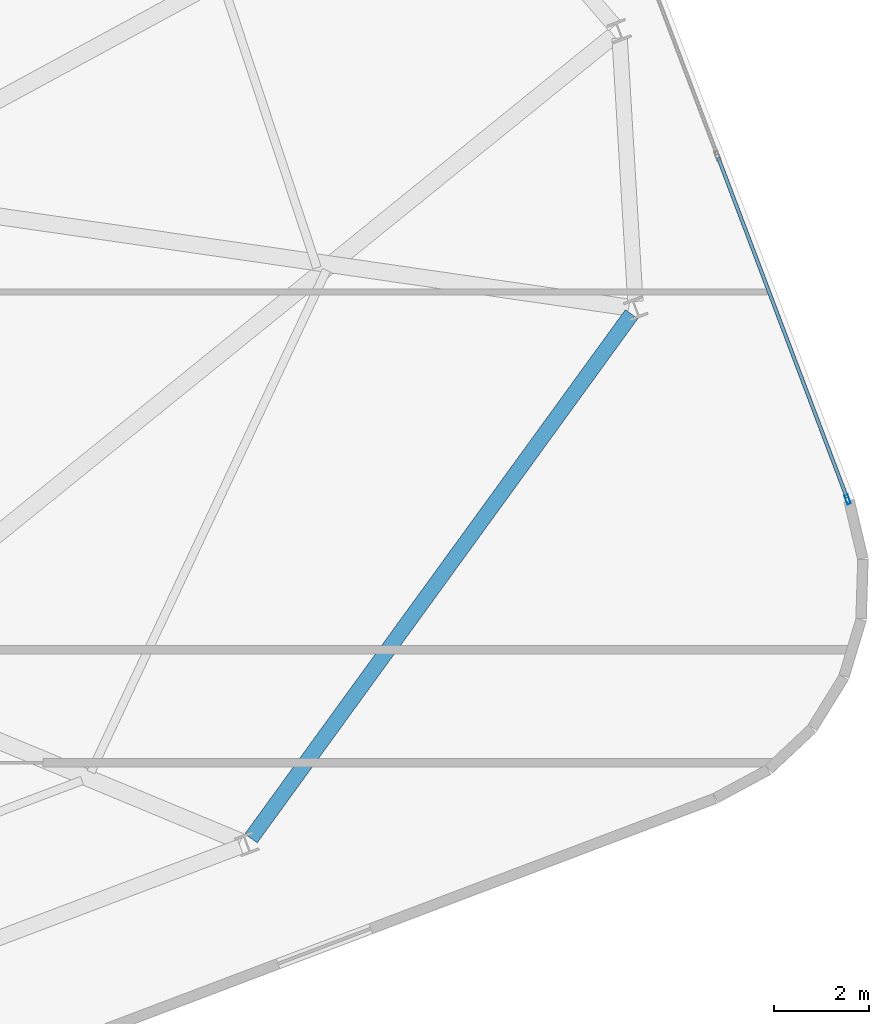
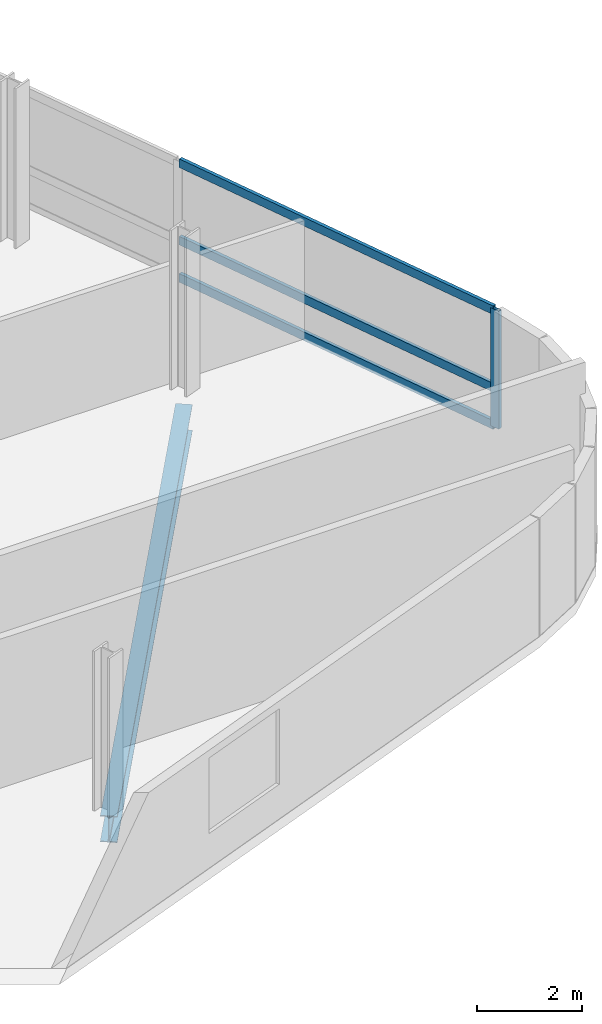
# One storey, part 11 of 20: 4 members, 1 beam, 1 element without a shape of its own.
"""IFC4 building model written with IfcOpenShell, lengths in metres."""

import ifcopenshell
import ifcopenshell.guid

model = None  # the IFC model being written
_history = None  # IfcOwnerHistory: only IFC2X3 demands one
_inside = {}  # id of a spatial element -> (the spatial element, [elements in it])
_under = {}  # id of a project, library or spatial element -> (it, [spatial elements below it])
_declared = {}  # id of a project -> (the project, [libraries it declares])
_typed = {}  # id of a type object -> (the type object, [elements of that type])
_made_of = {}  # id of a material, layer set ... -> (it, [elements and type objects made of it])


def new_model(schema):
    """Start an empty IFC model of exactly this schema.

    Asked for "IFC4X3", IfcOpenShell would pick the latest addendum, in which some entities
    have other attributes; the version numbers below select the first issue.
    IFC2X3 requires an IfcOwnerHistory on every rooted entity: one is made here for all.
    """
    global model, _history
    if schema == "IFC4X3":
        model = ifcopenshell.file(schema_version=(4, 3, 0, 0))
    else:
        model = ifcopenshell.file(schema=schema)
    _inside.clear()
    _under.clear()
    _declared.clear()
    _typed.clear()
    _made_of.clear()
    _history = None
    if model.schema == "IFC2X3":
        org = make("IfcOrganization", Name="unknown")
        user = make(
            "IfcPersonAndOrganization",
            ThePerson=make("IfcPerson", FamilyName="unknown"),
            TheOrganization=org,
        )
        app = make(
            "IfcApplication",
            ApplicationDeveloper=org,
            Version="unknown",
            ApplicationFullName="unknown",
            ApplicationIdentifier="unknown",
        )
        _history = make(
            "IfcOwnerHistory",
            OwningUser=user,
            OwningApplication=app,
            ChangeAction="ADDED",
            CreationDate=0,
        )
    return model


def make(cls, **values):
    """One entity of the class cls with the attributes given. An attribute that is None is left unset."""
    return model.create_entity(
        cls, **{name: value for name, value in values.items() if value is not None}
    )


def rooted(cls, **values):
    """An entity with a GlobalId (a new one), such as an element, a storey or a relation."""
    return make(cls, GlobalId=ifcopenshell.guid.new(), OwnerHistory=_history, **values)


def si_unit(unit_type, name, prefix=None):
    """IfcSIUnit, for example si_unit("LENGTHUNIT", "METRE", prefix="MILLI")."""
    return make("IfcSIUnit", UnitType=unit_type, Prefix=prefix, Name=name)


def assignment(units):
    """IfcUnitAssignment: the units of a project."""
    return None if units is None else make("IfcUnitAssignment", Units=units)


def point(xyz):
    """IfcCartesianPoint."""
    return None if xyz is None else make("IfcCartesianPoint", Coordinates=xyz)


def direction(xyz):
    """IfcDirection."""
    return None if xyz is None else make("IfcDirection", DirectionRatios=xyz)


def frame(location, z_axis=None, x_axis=None):
    """IfcAxis2Placement3D, a coordinate frame: its origin and axes. An axis left out is left unset."""
    return make(
        "IfcAxis2Placement3D",
        Location=point(location),
        Axis=direction(z_axis),
        RefDirection=direction(x_axis),
    )


def frame_2d(location, x_axis=None):
    """IfcAxis2Placement2D, a coordinate frame in the plane: its origin and x axis."""
    return make(
        "IfcAxis2Placement2D", Location=point(location), RefDirection=direction(x_axis)
    )


def origin():
    """The frame at (0, 0, 0) with its axes left unset."""
    return frame((0.0, 0.0, 0.0))


def origin_2d():
    """The frame at (0, 0) in the plane with its x axis left unset."""
    return frame_2d((0.0, 0.0))


def place(relative_to, where):
    """IfcLocalPlacement: puts the frame where relative to a parent placement (None: the world)."""
    return make(
        "IfcLocalPlacement", PlacementRelTo=relative_to, RelativePlacement=where
    )


def context(
    kind, dimensions, precision=None, world=None, true_north=None, identifier=None
):
    """IfcGeometricRepresentationContext, for example the 3D "Model" context."""
    return make(
        "IfcGeometricRepresentationContext",
        ContextIdentifier=identifier,
        ContextType=kind,
        CoordinateSpaceDimension=dimensions,
        Precision=precision,
        WorldCoordinateSystem=world,
        TrueNorth=true_north,
    )


def subcontext(parent, identifier, kind, view, scale=None):
    """IfcGeometricRepresentationSubContext, for example "Body" below "Model"."""
    return make(
        "IfcGeometricRepresentationSubContext",
        ContextIdentifier=identifier,
        ContextType=kind,
        ParentContext=parent,
        TargetScale=scale,
        TargetView=view,
    )


def project(units=None, contexts=None):
    """IfcProject with its units and contexts."""
    return rooted(
        "IfcProject",
        Name="project",
        RepresentationContexts=contexts,
        UnitsInContext=assignment(units),
    )


def spatial(cls, under=None, at=None, **own):
    """A site, building, storey or space (cls), placed at a placement, below another one or the project."""
    s = rooted(cls, ObjectPlacement=at, **own)
    if under is not None:
        _under.setdefault(under.id(), (under, []))[1].append(s)
    return s


def profile(cls, at=None, kind="AREA", **sizes):
    """A parametric profile (cls). Its sizes go by their IFC names, for example OverallWidth=200.0."""
    return make(cls, ProfileType=kind, Position=at, **sizes)


def hollow_rectangle(**sizes):
    """IfcRectangleHollowProfileDef."""
    return profile("IfcRectangleHollowProfileDef", **sizes)


def i_section(**sizes):
    """IfcIShapeProfileDef."""
    return profile("IfcIShapeProfileDef", **sizes)


def extrude(swept, where, along, depth):
    """IfcExtrudedAreaSolid: the profile swept, set in the frame where, extruded along a direction by depth."""
    return make(
        "IfcExtrudedAreaSolid",
        SweptArea=swept,
        Position=where,
        ExtrudedDirection=direction(along),
        Depth=depth,
    )


def shape(context_of_items, identifier, shape_type, items):
    """IfcShapeRepresentation: the items that make up one representation, for example the "Body"."""
    return make(
        "IfcShapeRepresentation",
        ContextOfItems=context_of_items,
        RepresentationIdentifier=identifier,
        RepresentationType=shape_type,
        Items=items,
    )


def material(Name=None, Category=None):
    """IfcMaterial."""
    return make("IfcMaterial", Name=Name, Category=Category)


def layer(
    of_material, thickness, ventilated=None, Name=None, Category=None, Priority=None
):
    """IfcMaterialLayer: one layer of a wall or slab, of a material (None: an air gap)."""
    return make(
        "IfcMaterialLayer",
        Material=of_material,
        LayerThickness=thickness,
        IsVentilated=ventilated,
        Name=Name,
        Category=Category,
        Priority=Priority,
    )


def layer_set(layers, Name=None):
    """IfcMaterialLayerSet."""
    return make("IfcMaterialLayerSet", MaterialLayers=layers, LayerSetName=Name)


def material_profile(
    of_material, cross_section, Name=None, Category=None, Priority=None
):
    """IfcMaterialProfile: a cross section and its material."""
    return make(
        "IfcMaterialProfile",
        Name=Name,
        Material=of_material,
        Profile=cross_section,
        Priority=Priority,
        Category=Category,
    )


def profile_set(profiles, Name=None, composite=None):
    """IfcMaterialProfileSet."""
    return make(
        "IfcMaterialProfileSet",
        Name=Name,
        MaterialProfiles=profiles,
        CompositeProfile=composite,
    )


def made_of(thing, what):
    """Note that an element or type object is made of a material, layer set ...; save() writes the relation."""
    if what is not None:
        _made_of.setdefault(what.id(), (what, []))[1].append(thing)
    return thing


def type_object(cls, material=None, **own):
    """A type object (cls), such as IfcWallType, which elements share."""
    return made_of(rooted(cls, **own), material)


def element(
    cls,
    number,
    at=None,
    inside=None,
    cuts=None,
    type_object=None,
    material=None,
    context=None,
    identifier="Body",
    shape_type=None,
    held_by="IfcProductDefinitionShape",
    body=None,
    shapes=None,
    **own,
):
    """One element of the class cls, such as IfcWall. Its Tag is "e" and its number.

    at: its placement. inside: the storey or other place that contains it. cuts: it is an
    opening in that element (IfcRelVoidsElement). A single representation is given by context,
    identifier, shape_type and body (its items); several are given by shapes. held_by: the class
    of the entity that holds the representations. save() writes the other relations.
    """
    e = rooted(cls, Tag="e%d" % number, ObjectPlacement=at, **own)
    if body is not None:
        shapes = [shape(context, identifier, shape_type, body)]
    if shapes is not None:
        e.Representation = make(held_by, Representations=shapes)
    if inside is not None:
        _inside.setdefault(inside.id(), (inside, []))[1].append(e)
    if cuts is not None:
        rooted(
            "IfcRelVoidsElement", RelatingBuildingElement=cuts, RelatedOpeningElement=e
        )
    if type_object is not None:
        _typed.setdefault(type_object.id(), (type_object, []))[1].append(e)
    return made_of(e, material)


def aggregate(whole, parts):
    """IfcRelAggregates: a whole, such as a stair, and the parts it consists of."""
    return rooted("IfcRelAggregates", RelatingObject=whole, RelatedObjects=parts)


def save(model, path):
    """Write the relations noted so far, then the file.

    IfcRelAggregates (storeys below a building ...), IfcRelContainedInSpatialStructure (elements
    in a storey), IfcRelDefinesByType, IfcRelAssociatesMaterial and IfcRelDeclares: one each for
    every whole, place, type object, material and project.
    """
    for whole, parts in _under.values():
        aggregate(whole, parts)
    for where, things in _inside.values():
        rooted(
            "IfcRelContainedInSpatialStructure",
            RelatedElements=things,
            RelatingStructure=where,
        )
    for kind, things in _typed.values():
        rooted("IfcRelDefinesByType", RelatedObjects=things, RelatingType=kind)
    for what, things in _made_of.values():
        rooted("IfcRelAssociatesMaterial", RelatedObjects=things, RelatingMaterial=what)
    for by, libraries in _declared.values():
        rooted("IfcRelDeclares", RelatingContext=by, RelatedDefinitions=libraries)
    model.write(path)


model = new_model("IFC4")

# Units and contexts
model_context = context("Model", 3, precision=1e-05, world=origin(), true_north=direction((0.0, 1.0)))
body_context = subcontext(model_context, "Body", "Model", "MODEL_VIEW")
ifc_project = project(units=[si_unit("LENGTHUNIT", "METRE"), si_unit("AREAUNIT", "SQUARE_METRE"), si_unit("VOLUMEUNIT", "CUBIC_METRE"), si_unit("PLANEANGLEUNIT", "RADIAN"), si_unit("MASSUNIT", "GRAM", prefix="KILO")], contexts=[model_context])

# Site, building, storey
site_placement = place(None, origin())
site = spatial("IfcSite", under=ifc_project, at=site_placement, CompositionType="ELEMENT")
building_placement = place(site_placement, origin())
building = spatial("IfcBuilding", under=site, at=building_placement, Name="Varnelok Gate Tower", CompositionType="ELEMENT")
storey_placement = place(building_placement, frame((0.0, 0.0, 238.60009765625)))
storey = spatial("IfcBuildingStorey", under=building, at=storey_placement, Name="L61", CompositionType="ELEMENT", Elevation=238.60009765625)

# Beam
ifc_material_1 = material(Name="Structural Steel ASTM A992 Grade 50", Category="steel")
ifc_material_profile_1 = material_profile(ifc_material_1, i_section(OverallWidth=0.323974609375, OverallDepth=0.611083984375, WebThickness=0.0126953125, FlangeThickness=0.01904296875, FilletRadius=0.01806640625, at=origin_2d()), Name="W24X104")
ifc_profile_set_1 = profile_set([ifc_material_profile_1], Name="Structural Steel ASTM A992 Grade 50")
beam_type = type_object("IfcBeamType", Name="BM-SPN-W24X104", PredefinedType="SPANDREL", material=ifc_profile_set_1)
beam_placement = place(storey_placement, frame((62.92041015625, 15.249755859375, -0.5556640625), z_axis=(0.58754084914, 0.809194507267, 0.0), x_axis=(-0.809194507267, 0.58754084914, 0.0)))
element("IfcBeam", 1, at=beam_placement, inside=storey, type_object=beam_type, Name="L61 Perimeter Spandrel Beam 5", PredefinedType="SPANDREL", context=body_context, shape_type="SweptSolid", body=[
    extrude(i_section(OverallWidth=0.323974609375, OverallDepth=0.611083984375, WebThickness=0.0126953125, FlangeThickness=0.01904296875, FilletRadius=0.01806640625, at=origin_2d()), origin(), (0.0, 0.0, 1.0), 13.695556640625),
])

# Curtain wall, members
ifc_material_2 = material(Name="Anodized Aluminum Alloy 6063-T6", Category="aluminium")
ifc_layer = layer(ifc_material_2, 0.179931640625)
ifc_layer_set = layer_set([ifc_layer], Name="Anodized Aluminum Alloy 6063-T6")
curtain_wall_type = type_object("IfcCurtainWallType", Name="CW4-RESIDENCE-VISION", PredefinedType="USERDEFINED", material=ifc_layer_set)
curtain_wall_placement = place(storey_placement, origin())
curtain_wall = element("IfcCurtainWall", 2, at=curtain_wall_placement, inside=storey, type_object=curtain_wall_type, Name="L61 East End Vision Curtain Wall", ObjectType="UNITISED CURTAIN WALL", PredefinedType="USERDEFINED")
ifc_material_profile_2 = material_profile(ifc_material_2, hollow_rectangle(XDim=0.074951171875, YDim=0.199951171875, WallThickness=0.00390625, at=origin_2d()), Name="ALU200X75X4")
ifc_profile_set_2 = profile_set([ifc_material_profile_2], Name="Anodized Aluminum Alloy 6063-T6")
member_type_1 = type_object("IfcMemberType", Name="CW-MULL-200", PredefinedType="MULLION", material=ifc_profile_set_2)
member_1_placement = place(storey_placement, frame((75.534912109375, 22.41552734375, 0.0), z_axis=(0.0, 0.0, 1.0), x_axis=(0.935221557832, 0.354063042079, 0.0)))
member_1 = element("IfcMember", 3, at=member_1_placement, type_object=member_type_1, Name="CW4 mullion 5", PredefinedType="MULLION", context=body_context, shape_type="SweptSolid", body=[
    extrude(hollow_rectangle(XDim=0.074951171875, YDim=0.199951171875, WallThickness=0.00390625, at=origin_2d()), origin(), (0.0, 0.0, 1.0), 2.72998046875),
])
ifc_material_profile_3 = material_profile(ifc_material_2, hollow_rectangle(XDim=0.074951171875, YDim=0.199951171875, WallThickness=0.00390625, at=origin_2d()), Name="ALU200X75X4")
ifc_profile_set_3 = profile_set([ifc_material_profile_3], Name="Anodized Aluminum Alloy 6063-T6")
member_type_2 = type_object("IfcMemberType", Name="CW-TRAN-200", PredefinedType="USERDEFINED", material=ifc_profile_set_3)
member_2_placement = place(storey_placement, frame((72.7998046875, 29.64013671875, 0.037353515625), z_axis=(0.354062525952, -0.935221753231, 0.0), x_axis=(0.935221753231, 0.354062525952, 0.0)))
member_2 = element("IfcMember", 4, at=member_2_placement, type_object=member_type_2, Name="CW4 transom 4.1", ObjectType="TRANSOM", PredefinedType="USERDEFINED", context=body_context, shape_type="SweptSolid", body=[
    extrude(hollow_rectangle(XDim=0.074951171875, YDim=0.199951171875, WallThickness=0.00390625, at=origin_2d()), origin(), (0.0, 0.0, 1.0), 7.687744140625),
])
member_3_placement = place(storey_placement, frame((72.7998046875, 29.64013671875, 0.89990234375), z_axis=(0.354062525952, -0.935221753231, 0.0), x_axis=(0.935221753231, 0.354062525952, 0.0)))
member_3 = element("IfcMember", 5, at=member_3_placement, type_object=member_type_2, Name="CW4 transom 4.2", ObjectType="TRANSOM", PredefinedType="USERDEFINED", context=body_context, shape_type="SweptSolid", body=[
    extrude(hollow_rectangle(XDim=0.074951171875, YDim=0.199951171875, WallThickness=0.00390625, at=origin_2d()), origin(), (0.0, 0.0, 1.0), 7.687744140625),
])
member_4_placement = place(storey_placement, frame((72.7998046875, 29.64013671875, 2.6923828125), z_axis=(0.354062525952, -0.935221753231, 0.0), x_axis=(0.935221753231, 0.354062525952, 0.0)))
member_4 = element("IfcMember", 6, at=member_4_placement, type_object=member_type_2, Name="CW4 transom 4.3", ObjectType="TRANSOM", PredefinedType="USERDEFINED", context=body_context, shape_type="SweptSolid", body=[
    extrude(hollow_rectangle(XDim=0.074951171875, YDim=0.199951171875, WallThickness=0.00390625, at=origin_2d()), origin(), (0.0, 0.0, 1.0), 7.687744140625),
])
aggregate(curtain_wall, [member_1, member_2, member_3, member_4])

save(model, "model.ifc")
